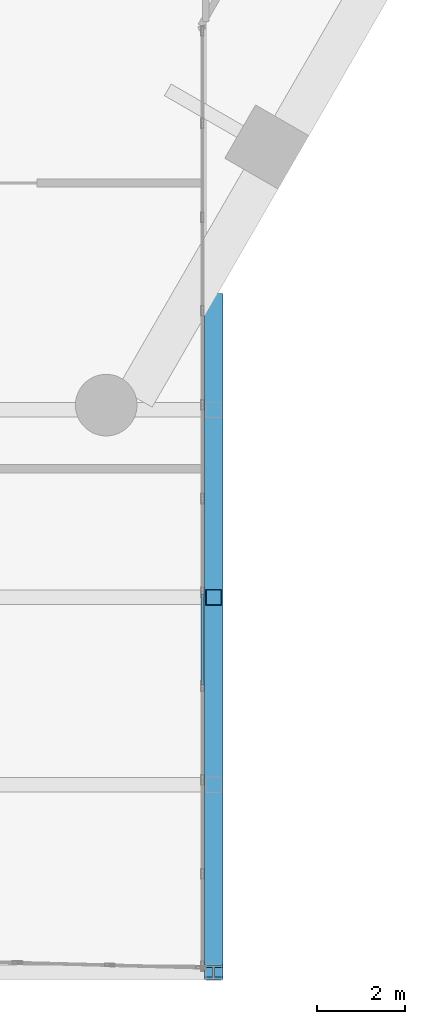
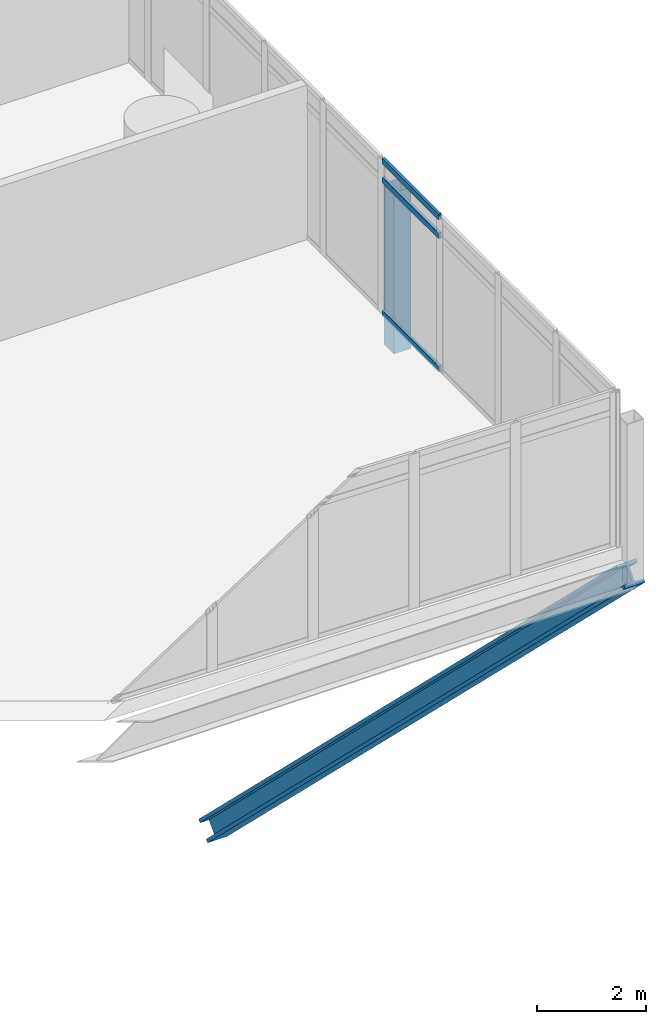
# One storey, part 13 of 38: 5 members, 1 element without a shape of its own.
"""IFC4 building model written with IfcOpenShell, lengths in metres."""

from ifc_helpers import new_model, si_unit, direction, frame, origin, origin_2d, place, context, subcontext, project, spatial, hollow_rectangle, i_section, extrude, material, material_profile, profile_set, type_object, element, aggregate, save


model = new_model("IFC4")

# Units and contexts
model_context = context("Model", 3, precision=1e-05, world=origin(), true_north=direction((0.0, 1.0)))
body_context = subcontext(model_context, "Body", "Model", "MODEL_VIEW")
ifc_project = project(units=[si_unit("LENGTHUNIT", "METRE"), si_unit("AREAUNIT", "SQUARE_METRE"), si_unit("VOLUMEUNIT", "CUBIC_METRE"), si_unit("PLANEANGLEUNIT", "RADIAN"), si_unit("MASSUNIT", "GRAM", prefix="KILO")], contexts=[model_context])

# Site, building, storey
site_placement = place(None, origin())
site = spatial("IfcSite", under=ifc_project, at=site_placement, CompositionType="ELEMENT")
building_placement = place(site_placement, origin())
building = spatial("IfcBuilding", under=site, at=building_placement, Name="Ostrander Bayou Hotel Tower", CompositionType="ELEMENT")
storey_placement = place(building_placement, frame((0.0, 0.0, 65.5)))
storey = spatial("IfcBuildingStorey", under=building, at=storey_placement, Name="L16", CompositionType="ELEMENT", Elevation=65.5)

# Curtain wall, members
ifc_material_1 = material(Name="Aluminium and clear glass", Category="aluminium")
curtain_wall_type = type_object("IfcCurtainWallType", Name="CW-BAR glazed wall", PredefinedType="NOTDEFINED", material=ifc_material_1)
curtain_wall_placement = place(storey_placement, origin())
curtain_wall = element("IfcCurtainWall", 1, at=curtain_wall_placement, inside=storey, type_object=curtain_wall_type, Name="CW-BAR L16:SB1S:W", PredefinedType="NOTDEFINED")
ifc_material_2 = material(Name="Aluminium", Category="aluminium")
ifc_material_profile_1 = material_profile(ifc_material_2, hollow_rectangle(XDim=0.06005859375, YDim=0.1298828125, WallThickness=0.00390625, at=origin_2d()))
ifc_profile_set_1 = profile_set([ifc_material_profile_1], Name="Aluminium")
member_type_1 = type_object("IfcMemberType", Name="CW-BR transom 60 x 130 mm", PredefinedType="USERDEFINED", material=ifc_profile_set_1)
member_1_placement = place(storey_placement, frame((14.712158203125, -24.345947265625, 0.030029296875), z_axis=(0.0, -1.0, 0.0), x_axis=(1.0, 0.0, 0.0)))
member_1 = element("IfcMember", 2, at=member_1_placement, type_object=member_type_1, Name="CW-BAR transom 7.1", ObjectType="TRANSOM", PredefinedType="USERDEFINED", context=body_context, shape_type="SweptSolid", body=[
    extrude(hollow_rectangle(XDim=0.06005859375, YDim=0.1298828125, WallThickness=0.00390625, at=origin_2d()), origin(), (0.0, 0.0, 1.0), 2.072998046875),
])
member_2_placement = place(storey_placement, frame((14.712158203125, -24.345947265625, 3.0), z_axis=(0.0, -1.0, 0.0), x_axis=(1.0, 0.0, 0.0)))
member_2 = element("IfcMember", 3, at=member_2_placement, type_object=member_type_1, Name="CW-BAR transom 7.2", ObjectType="TRANSOM", PredefinedType="USERDEFINED", context=body_context, shape_type="SweptSolid", body=[
    extrude(hollow_rectangle(XDim=0.06005859375, YDim=0.1298828125, WallThickness=0.00390625, at=origin_2d()), origin(), (0.0, 0.0, 1.0), 2.072998046875),
])
member_3_placement = place(storey_placement, frame((14.712158203125, -24.345947265625, 3.419921875), z_axis=(0.0, -1.0, 0.0), x_axis=(1.0, 0.0, 0.0)))
member_3 = element("IfcMember", 4, at=member_3_placement, type_object=member_type_1, Name="CW-BAR transom 7.3", ObjectType="TRANSOM", PredefinedType="USERDEFINED", context=body_context, shape_type="SweptSolid", body=[
    extrude(hollow_rectangle(XDim=0.06005859375, YDim=0.1298828125, WallThickness=0.00390625, at=origin_2d()), origin(), (0.0, 0.0, 1.0), 2.072998046875),
])
aggregate(curtain_wall, [member_1, member_2, member_3])

# Members
ifc_material_3 = material(Name="Steel ASTM A500 Gr C", Category="steel")
ifc_material_profile_2 = material_profile(ifc_material_3, hollow_rectangle(XDim=0.355712890625, YDim=0.355712890625, WallThickness=0.0087890625, at=origin_2d()))
ifc_profile_set_2 = profile_set([ifc_material_profile_2], Name="Steel ASTM A500 Gr C")
member_type_2 = type_object("IfcMemberType", Name="TH3 bar hanger HSS14x14x3/8", PredefinedType="POST", material=ifc_profile_set_2)
member_4_placement = place(storey_placement, frame((14.965087890625, -24.42529296875, -0.771728515625), z_axis=(0.0, 0.0, 1.0), x_axis=(1.0, 0.0, 0.0)))
element("IfcMember", 5, at=member_4_placement, inside=storey, type_object=member_type_2, Name="TH3 SB1SB H2-1", PredefinedType="POST", context=body_context, shape_type="SweptSolid", body=[
    extrude(hollow_rectangle(XDim=0.355712890625, YDim=0.355712890625, WallThickness=0.0087890625, at=origin_2d()), origin(), (0.0, 0.0, 1.0), 3.599853515625),
])
ifc_material_4 = material(Name="Steel ASTM A992", Category="steel")
ifc_material_profile_3 = material_profile(ifc_material_4, i_section(OverallWidth=0.42138671875, OverallDepth=0.464599609375, WebThickness=0.044921875, FlangeThickness=0.072509765625, at=origin_2d()))
ifc_profile_set_3 = profile_set([ifc_material_profile_3], Name="Steel ASTM A992")
member_type_3 = type_object("IfcMemberType", Name="TK1 bar kicker strut W14x398", PredefinedType="BRACE", material=ifc_profile_set_3)
member_5_placement = place(storey_placement, frame((14.965087890625, -32.949951171875, -0.671875), z_axis=(0.0, 0.715064323212, -0.699058662538), x_axis=(-1.0, 0.0, 0.0)))
element("IfcMember", 6, at=member_5_placement, inside=storey, type_object=member_type_3, Name="TK1 SB1SB kicker", PredefinedType="BRACE", context=body_context, shape_type="SweptSolid", body=[
    extrude(i_section(OverallWidth=0.42138671875, OverallDepth=0.464599609375, WebThickness=0.044921875, FlangeThickness=0.072509765625, at=origin_2d()), origin(), (0.0, 0.0, 1.0), 21.354736328125),
])

save(model, "model.ifc")
